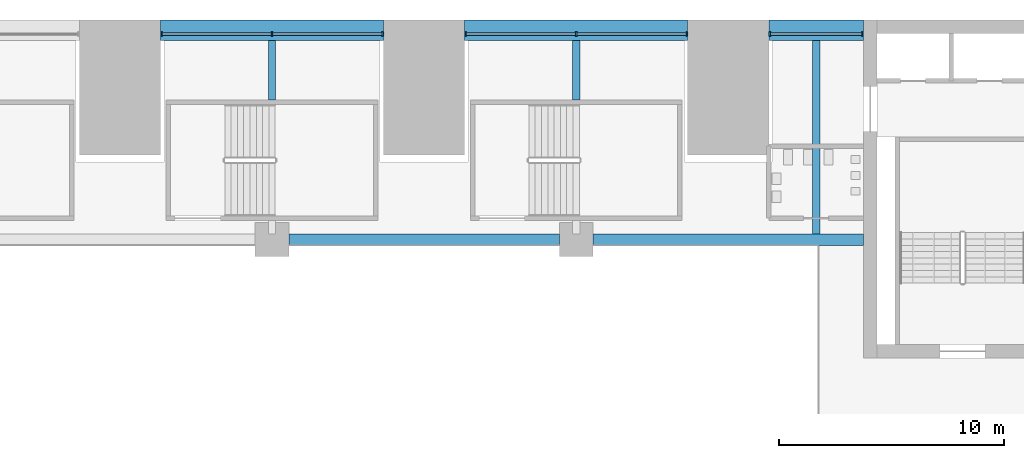
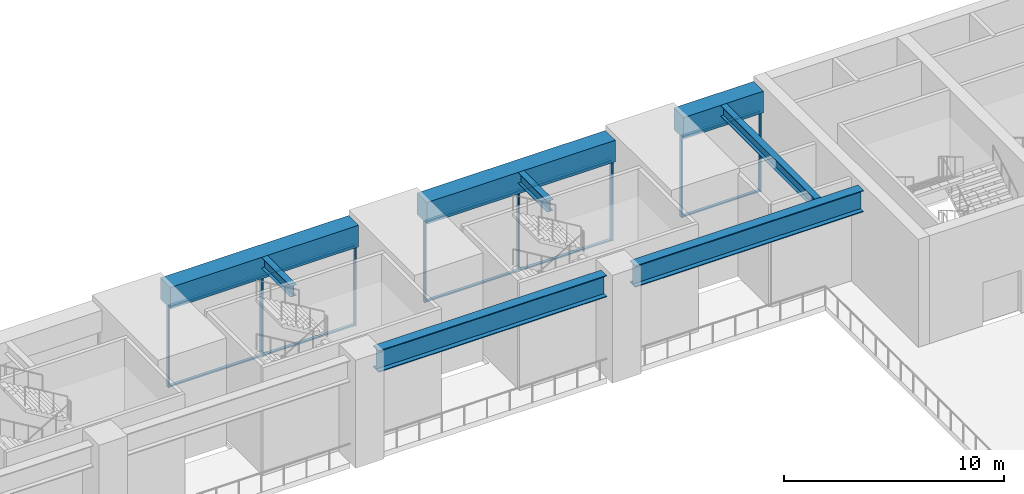
# One storey, part 9 of 43: 18 members, 8 beams, 3 elements without a shape of their own.
"""IFC4 building model written with IfcOpenShell, lengths in metres."""

from ifc_helpers import new_model, si_unit, direction, frame, origin, origin_2d, place, context, subcontext, project, spatial, rectangle, i_section, extrude, material, layer, layer_set, material_profile, profile_set, type_object, element, aggregate, save


model = new_model("IFC4")

# Units and contexts
model_context = context("Model", 3, precision=1e-05, world=origin(), true_north=direction((0.0, 1.0)))
body_context = subcontext(model_context, "Body", "Model", "MODEL_VIEW")
ifc_project = project(units=[si_unit("LENGTHUNIT", "METRE"), si_unit("AREAUNIT", "SQUARE_METRE"), si_unit("VOLUMEUNIT", "CUBIC_METRE"), si_unit("PLANEANGLEUNIT", "RADIAN"), si_unit("MASSUNIT", "GRAM", prefix="KILO")], contexts=[model_context])

# Site, building, storey
site_placement = place(None, origin())
site = spatial("IfcSite", under=ifc_project, at=site_placement, CompositionType="ELEMENT")
building_placement = place(site_placement, origin())
building = spatial("IfcBuilding", under=site, at=building_placement, Name="Corbelhall Arena Tower", CompositionType="ELEMENT")
storey_placement = place(building_placement, frame((0.0, 0.0, 25.0)))
storey = spatial("IfcBuildingStorey", under=building, at=storey_placement, Name="L03", CompositionType="ELEMENT", Elevation=25.0)

# Curtain wall, members
ifc_material_1 = material(Name="Aluminium black anodised", Category="aluminium")
ifc_layer = layer(ifc_material_1, 0.239990234375)
ifc_layer_set = layer_set([ifc_layer], Name="EV-CW4 Arena concourse glazing")
curtain_wall_type = type_object("IfcCurtainWallType", Name="EV-CW4 Arena concourse glazing", PredefinedType="NOTDEFINED", material=ifc_layer_set)
curtain_wall_1_placement = place(storey_placement, origin())
curtain_wall_1 = element("IfcCurtainWall", 1, at=curtain_wall_1_placement, inside=storey, type_object=curtain_wall_type, Name="Curtain wall CW4A", PredefinedType="NOTDEFINED")
ifc_material_profile_1 = material_profile(ifc_material_1, rectangle(XDim=0.199951171875, YDim=0.074951171875, at=origin_2d()))
ifc_profile_set_1 = profile_set([ifc_material_profile_1], Name="Aluminium black anodised")
member_type_1 = type_object("IfcMemberType", Name="EV-CW4-MULLION", PredefinedType="MULLION", material=ifc_profile_set_1)
member_1_placement = place(storey_placement, frame((32.96240234375, 38.3798828125, 0.0), z_axis=(0.0, 0.0, 1.0), x_axis=(0.0, -1.0, 0.0)))
member_1 = element("IfcMember", 2, at=member_1_placement, type_object=member_type_1, Name="CW4A mullion 1", PredefinedType="MULLION", context=body_context, shape_type="SweptSolid", body=[
    extrude(rectangle(XDim=0.199951171875, YDim=0.074951171875, at=origin_2d()), origin(), (0.0, 0.0, 1.0), 4.5),
])
member_2_placement = place(storey_placement, frame((28.83740234375, 38.3798828125, 0.0), z_axis=(0.0, 0.0, 1.0), x_axis=(0.0, -1.0, 0.0)))
member_2 = element("IfcMember", 3, at=member_2_placement, type_object=member_type_1, Name="CW4A mullion 2", PredefinedType="MULLION", context=body_context, shape_type="SweptSolid", body=[
    extrude(rectangle(XDim=0.199951171875, YDim=0.074951171875, at=origin_2d()), origin(), (0.0, 0.0, 1.0), 4.5),
])

curtain_wall_2_placement = place(storey_placement, origin())
curtain_wall_2 = element("IfcCurtainWall", 4, at=curtain_wall_2_placement, inside=storey, type_object=curtain_wall_type, Name="Curtain wall CW4", PredefinedType="NOTDEFINED")
member_3_placement = place(storey_placement, frame((25.16259765625, 38.3798828125, 0.0), z_axis=(0.0, 0.0, 1.0), x_axis=(0.0, -1.0, 0.0)))
member_3 = element("IfcMember", 5, at=member_3_placement, type_object=member_type_1, Name="CW4 mullion 1", PredefinedType="MULLION", context=body_context, shape_type="SweptSolid", body=[
    extrude(rectangle(XDim=0.199951171875, YDim=0.074951171875, at=origin_2d()), origin(), (0.0, 0.0, 1.0), 4.5),
])
member_4_placement = place(storey_placement, frame((20.25, 38.3798828125, 0.0), z_axis=(0.0, 0.0, 1.0), x_axis=(0.0, -1.0, 0.0)))
member_4 = element("IfcMember", 6, at=member_4_placement, type_object=member_type_1, Name="CW4 mullion 2", PredefinedType="MULLION", context=body_context, shape_type="SweptSolid", body=[
    extrude(rectangle(XDim=0.199951171875, YDim=0.074951171875, at=origin_2d()), origin(), (0.0, 0.0, 1.0), 4.5),
])
member_5_placement = place(storey_placement, frame((15.33740234375, 38.3798828125, 0.0), z_axis=(0.0, 0.0, 1.0), x_axis=(0.0, -1.0, 0.0)))
member_5 = element("IfcMember", 7, at=member_5_placement, type_object=member_type_1, Name="CW4 mullion 3", PredefinedType="MULLION", context=body_context, shape_type="SweptSolid", body=[
    extrude(rectangle(XDim=0.199951171875, YDim=0.074951171875, at=origin_2d()), origin(), (0.0, 0.0, 1.0), 4.5),
])

curtain_wall_3_placement = place(storey_placement, origin())
curtain_wall_3 = element("IfcCurtainWall", 8, at=curtain_wall_3_placement, inside=storey, type_object=curtain_wall_type, Name="Curtain wall CW4", PredefinedType="NOTDEFINED")
member_6_placement = place(storey_placement, frame((11.66259765625, 38.3798828125, 0.0), z_axis=(0.0, 0.0, 1.0), x_axis=(0.0, -1.0, 0.0)))
member_6 = element("IfcMember", 9, at=member_6_placement, type_object=member_type_1, Name="CW4 mullion 1", PredefinedType="MULLION", context=body_context, shape_type="SweptSolid", body=[
    extrude(rectangle(XDim=0.199951171875, YDim=0.074951171875, at=origin_2d()), origin(), (0.0, 0.0, 1.0), 4.5),
])
member_7_placement = place(storey_placement, frame((6.75, 38.3798828125, 0.0), z_axis=(0.0, 0.0, 1.0), x_axis=(0.0, -1.0, 0.0)))
member_7 = element("IfcMember", 10, at=member_7_placement, type_object=member_type_1, Name="CW4 mullion 2", PredefinedType="MULLION", context=body_context, shape_type="SweptSolid", body=[
    extrude(rectangle(XDim=0.199951171875, YDim=0.074951171875, at=origin_2d()), origin(), (0.0, 0.0, 1.0), 4.5),
])
member_8_placement = place(storey_placement, frame((1.83740234375, 38.3798828125, 0.0), z_axis=(0.0, 0.0, 1.0), x_axis=(0.0, -1.0, 0.0)))
member_8 = element("IfcMember", 11, at=member_8_placement, type_object=member_type_1, Name="CW4 mullion 3", PredefinedType="MULLION", context=body_context, shape_type="SweptSolid", body=[
    extrude(rectangle(XDim=0.199951171875, YDim=0.074951171875, at=origin_2d()), origin(), (0.0, 0.0, 1.0), 4.5),
])

# Member
ifc_material_profile_2 = material_profile(ifc_material_1, rectangle(XDim=0.14990234375, YDim=0.074951171875, at=origin_2d()))
ifc_profile_set_2 = profile_set([ifc_material_profile_2], Name="Aluminium black anodised")
member_type_2 = type_object("IfcMemberType", Name="EV-CW4-TRANSOM", PredefinedType="USERDEFINED", material=ifc_profile_set_2)
member_9_placement = place(storey_placement, frame((32.925048828125, 38.3798828125, 0.03759765625), z_axis=(-1.0, 0.0, 0.0), x_axis=(0.0, -1.0, 0.0)))
member_9 = element("IfcMember", 12, at=member_9_placement, type_object=member_type_2, Name="CW4A transom 1.1", ObjectType="transom", PredefinedType="USERDEFINED", context=body_context, shape_type="SweptSolid", body=[
    extrude(rectangle(XDim=0.14990234375, YDim=0.074951171875, at=origin_2d()), origin(), (0.0, 0.0, 1.0), 4.050048828125),
])

member_10_placement = place(storey_placement, frame((32.925048828125, 38.3798828125, 4.46240234375), z_axis=(-1.0, 0.0, 0.0), x_axis=(0.0, -1.0, 0.0)))
member_10 = element("IfcMember", 13, at=member_10_placement, type_object=member_type_2, Name="CW4A transom 1.2", ObjectType="transom", PredefinedType="USERDEFINED", context=body_context, shape_type="SweptSolid", body=[
    extrude(rectangle(XDim=0.14990234375, YDim=0.074951171875, at=origin_2d()), origin(), (0.0, 0.0, 1.0), 4.050048828125),
])

aggregate(curtain_wall_1, [member_1, member_2, member_9, member_10])

member_11_placement = place(storey_placement, frame((25.125, 38.3798828125, 0.03759765625), z_axis=(-1.0, 0.0, 0.0), x_axis=(0.0, -1.0, 0.0)))
member_11 = element("IfcMember", 14, at=member_11_placement, type_object=member_type_2, Name="CW4 transom 1.1", ObjectType="transom", PredefinedType="USERDEFINED", context=body_context, shape_type="SweptSolid", body=[
    extrude(rectangle(XDim=0.14990234375, YDim=0.074951171875, at=origin_2d()), origin(), (0.0, 0.0, 1.0), 4.83740234375),
])

member_12_placement = place(storey_placement, frame((25.125, 38.3798828125, 4.46240234375), z_axis=(-1.0, 0.0, 0.0), x_axis=(0.0, -1.0, 0.0)))
member_12 = element("IfcMember", 15, at=member_12_placement, type_object=member_type_2, Name="CW4 transom 1.2", ObjectType="transom", PredefinedType="USERDEFINED", context=body_context, shape_type="SweptSolid", body=[
    extrude(rectangle(XDim=0.14990234375, YDim=0.074951171875, at=origin_2d()), origin(), (0.0, 0.0, 1.0), 4.83740234375),
])

member_13_placement = place(storey_placement, frame((20.21240234375, 38.3798828125, 0.03759765625), z_axis=(-1.0, 0.0, 0.0), x_axis=(0.0, -1.0, 0.0)))
member_13 = element("IfcMember", 16, at=member_13_placement, type_object=member_type_2, Name="CW4 transom 2.1", ObjectType="transom", PredefinedType="USERDEFINED", context=body_context, shape_type="SweptSolid", body=[
    extrude(rectangle(XDim=0.14990234375, YDim=0.074951171875, at=origin_2d()), origin(), (0.0, 0.0, 1.0), 4.83740234375),
])

member_14_placement = place(storey_placement, frame((20.21240234375, 38.3798828125, 4.46240234375), z_axis=(-1.0, 0.0, 0.0), x_axis=(0.0, -1.0, 0.0)))
member_14 = element("IfcMember", 17, at=member_14_placement, type_object=member_type_2, Name="CW4 transom 2.2", ObjectType="transom", PredefinedType="USERDEFINED", context=body_context, shape_type="SweptSolid", body=[
    extrude(rectangle(XDim=0.14990234375, YDim=0.074951171875, at=origin_2d()), origin(), (0.0, 0.0, 1.0), 4.83740234375),
])

aggregate(curtain_wall_2, [member_3, member_4, member_5, member_11, member_12, member_13, member_14])

member_15_placement = place(storey_placement, frame((11.625, 38.3798828125, 0.03759765625), z_axis=(-1.0, 0.0, 0.0), x_axis=(0.0, -1.0, 0.0)))
member_15 = element("IfcMember", 18, at=member_15_placement, type_object=member_type_2, Name="CW4 transom 1.1", ObjectType="transom", PredefinedType="USERDEFINED", context=body_context, shape_type="SweptSolid", body=[
    extrude(rectangle(XDim=0.14990234375, YDim=0.074951171875, at=origin_2d()), origin(), (0.0, 0.0, 1.0), 4.83740234375),
])

member_16_placement = place(storey_placement, frame((11.625, 38.3798828125, 4.46240234375), z_axis=(-1.0, 0.0, 0.0), x_axis=(0.0, -1.0, 0.0)))
member_16 = element("IfcMember", 19, at=member_16_placement, type_object=member_type_2, Name="CW4 transom 1.2", ObjectType="transom", PredefinedType="USERDEFINED", context=body_context, shape_type="SweptSolid", body=[
    extrude(rectangle(XDim=0.14990234375, YDim=0.074951171875, at=origin_2d()), origin(), (0.0, 0.0, 1.0), 4.83740234375),
])

member_17_placement = place(storey_placement, frame((6.71240234375, 38.3798828125, 0.03759765625), z_axis=(-1.0, 0.0, 0.0), x_axis=(0.0, -1.0, 0.0)))
member_17 = element("IfcMember", 20, at=member_17_placement, type_object=member_type_2, Name="CW4 transom 2.1", ObjectType="transom", PredefinedType="USERDEFINED", context=body_context, shape_type="SweptSolid", body=[
    extrude(rectangle(XDim=0.14990234375, YDim=0.074951171875, at=origin_2d()), origin(), (0.0, 0.0, 1.0), 4.83740234375),
])

member_18_placement = place(storey_placement, frame((6.71240234375, 38.3798828125, 4.46240234375), z_axis=(-1.0, 0.0, 0.0), x_axis=(0.0, -1.0, 0.0)))
member_18 = element("IfcMember", 21, at=member_18_placement, type_object=member_type_2, Name="CW4 transom 2.2", ObjectType="transom", PredefinedType="USERDEFINED", context=body_context, shape_type="SweptSolid", body=[
    extrude(rectangle(XDim=0.14990234375, YDim=0.074951171875, at=origin_2d()), origin(), (0.0, 0.0, 1.0), 4.83740234375),
])

aggregate(curtain_wall_3, [member_6, member_7, member_8, member_15, member_16, member_17, member_18])

# Beams
ifc_material_2 = material(Name="Steel ASTM A992 Gr50", Category="steel")
ifc_material_profile_3 = material_profile(ifc_material_2, i_section(OverallWidth=0.323974609375, OverallDepth=0.611083984375, WebThickness=0.0126953125, FlangeThickness=0.01904296875, at=origin_2d()))
ifc_profile_set_3 = profile_set([ifc_material_profile_3], Name="Steel ASTM A992 Gr50")
beam_type_1 = type_object("IfcBeamType", Name="PO-BEAM-W24X104", PredefinedType="BEAM", material=ifc_profile_set_3)
for number, where, z_axis, x_axis, name in (
    (22, (6.75, 35.449951171875, 5.39453125), (0.0, 1.0, 0.0), (-1.0, 0.0, 0.0), "CONCOURSE BEAM"),
    (23, (20.25, 35.449951171875, 5.39453125), (0.0, 1.0, 0.0), (-1.0, 0.0, 0.0), "CONCOURSE BEAM"),
):
    element("IfcBeam", number, at=place(storey_placement, frame(where, z_axis=z_axis, x_axis=x_axis)), inside=storey, type_object=beam_type_1, Name=name, PredefinedType="BEAM", context=body_context, shape_type="SweptSolid", body=[
        extrude(i_section(OverallWidth=0.323974609375, OverallDepth=0.611083984375, WebThickness=0.0126953125, FlangeThickness=0.01904296875, at=origin_2d()), origin(), (0.0, 0.0, 1.0), 2.650146484375),
    ])
beam_1_placement = place(storey_placement, frame((30.89990234375, 29.5, 5.39453125), z_axis=(0.0, 1.0, 0.0), x_axis=(-1.0, 0.0, 0.0)))
element("IfcBeam", 24, at=beam_1_placement, inside=storey, type_object=beam_type_1, Name="CONCOURSE BEAM", PredefinedType="BEAM", context=body_context, shape_type="SweptSolid", body=[
    extrude(i_section(OverallWidth=0.323974609375, OverallDepth=0.611083984375, WebThickness=0.0126953125, FlangeThickness=0.01904296875, at=origin_2d()), origin(), (0.0, 0.0, 1.0), 8.60009765625),
])
ifc_material_3 = material(Name="Steel ASTM A572 Gr50", Category="steel")
ifc_material_profile_4 = material_profile(ifc_material_3, i_section(OverallWidth=0.5, OverallDepth=1.199951171875, WebThickness=0.02490234375, FlangeThickness=0.044921875, at=origin_2d()))
ifc_profile_set_4 = profile_set([ifc_material_profile_4], Name="Steel ASTM A572 Gr50")
beam_type_2 = type_object("IfcBeamType", Name="PO-GIRDER-PG1200X500X25X45", PredefinedType="BEAM", material=ifc_profile_set_4)
for number, where, z_axis, x_axis, name in (
    (25, (7.5, 29.25, 5.10009765625), (1.0, 0.0, 0.0), (0.0, 1.0, 0.0), "RING GIRDER"),
    (26, (21.0, 29.25, 5.10009765625), (1.0, 0.0, 0.0), (0.0, 1.0, 0.0), "RING GIRDER"),
):
    element("IfcBeam", number, at=place(storey_placement, frame(where, z_axis=z_axis, x_axis=x_axis)), inside=storey, type_object=beam_type_2, Name=name, PredefinedType="BEAM", context=body_context, shape_type="SweptSolid", body=[
        extrude(i_section(OverallWidth=0.5, OverallDepth=1.199951171875, WebThickness=0.02490234375, FlangeThickness=0.044921875, at=origin_2d()), origin(), (0.0, 0.0, 1.0), 12.0),
    ])
ifc_material_4 = material(Name="Concrete C80/95", Category="concrete")
ifc_material_profile_5 = material_profile(ifc_material_4, rectangle(XDim=0.89990234375, YDim=1.199951171875, at=origin_2d()))
ifc_profile_set_5 = profile_set([ifc_material_profile_5], Name="Concrete C80/95")
beam_type_3 = type_object("IfcBeamType", Name="PO-RING-BEAM", PredefinedType="BEAM", material=ifc_profile_set_5)
for number, where, z_axis, x_axis, name in (
    (27, (1.800048828125, 38.550048828125, 5.10009765625), (1.0, 0.0, 0.0), (0.0, 1.0, 0.0), "RING GIRDER L04 N4"),
    (28, (15.300048828125, 38.550048828125, 5.10009765625), (1.0, 0.0, 0.0), (0.0, 1.0, 0.0), "RING GIRDER L04 N5"),
):
    element("IfcBeam", number, at=place(storey_placement, frame(where, z_axis=z_axis, x_axis=x_axis)), inside=storey, type_object=beam_type_3, Name=name, PredefinedType="BEAM", context=body_context, shape_type="SweptSolid", body=[
        extrude(rectangle(XDim=0.89990234375, YDim=1.199951171875, at=origin_2d()), origin(), (0.0, 0.0, 1.0), 9.89990234375),
    ])
beam_2_placement = place(storey_placement, frame((28.800048828125, 38.550048828125, 5.10009765625), z_axis=(1.0, 0.0, 0.0), x_axis=(0.0, 1.0, 0.0)))
element("IfcBeam", 29, at=beam_2_placement, inside=storey, type_object=beam_type_3, Name="RING GIRDER L04 N6", PredefinedType="BEAM", context=body_context, shape_type="SweptSolid", body=[
    extrude(rectangle(XDim=0.89990234375, YDim=1.199951171875, at=origin_2d()), origin(), (0.0, 0.0, 1.0), 4.199951171875),
])

save(model, "model.ifc")
